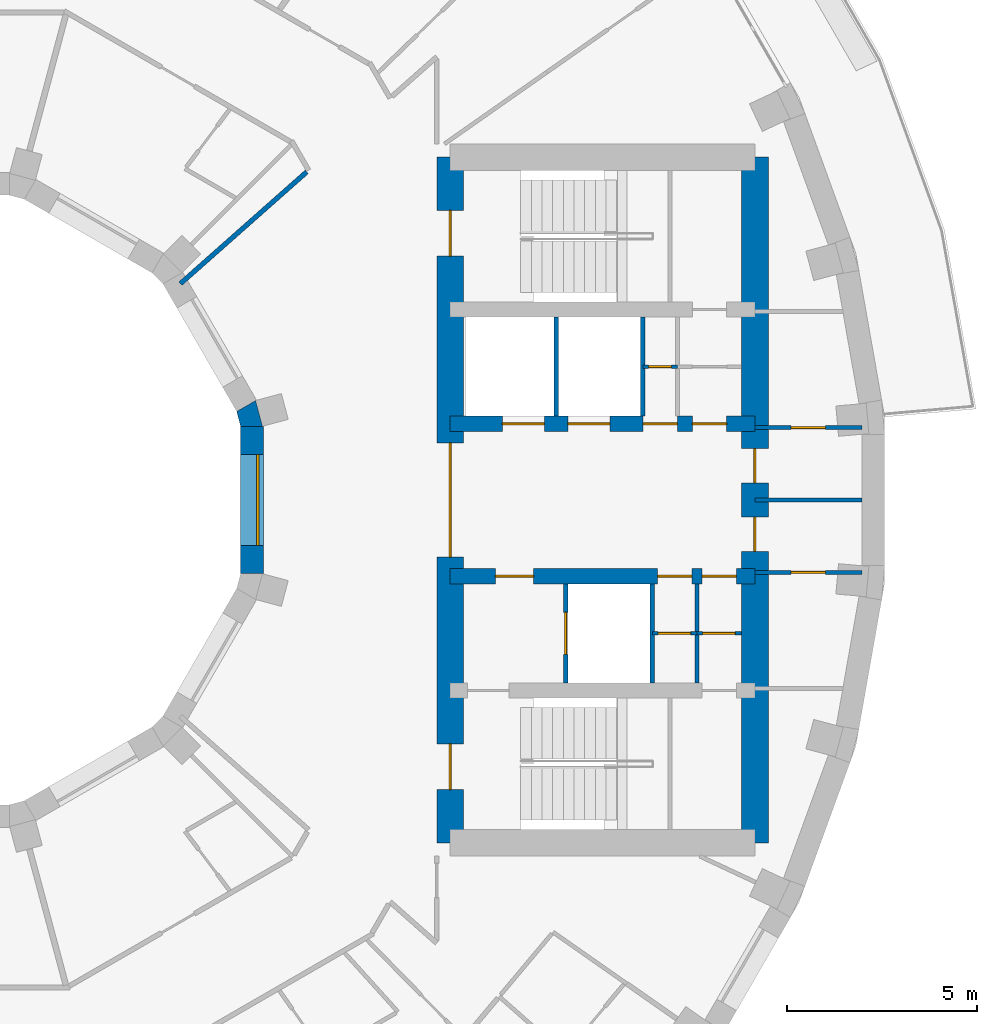
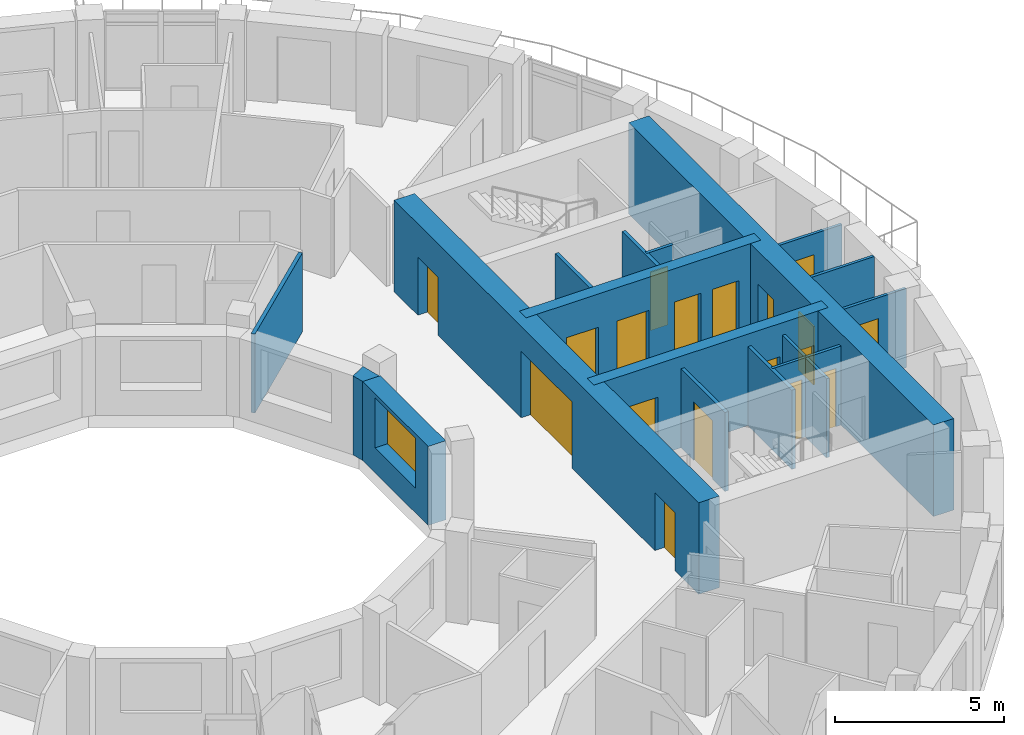
# One storey, part 9 of 15: 18 doors, 18 walls, 1 window, 19 openings.
"""IFC4 building model written with IfcOpenShell, lengths in metres."""

from ifc_helpers import new_model, si_unit, direction, frame, frame_2d, origin, place, context, subcontext, project, spatial, polyline, rectangle, outline, extrude, material, layer, layer_set, type_object, element, fill, save


model = new_model("IFC4")

# Units and contexts
model_context = context("Model", 3, precision=1e-05, world=origin(), true_north=direction((0.0, 1.0)))
body_context = subcontext(model_context, "Body", "Model", "MODEL_VIEW")
ifc_project = project(units=[si_unit("LENGTHUNIT", "METRE"), si_unit("AREAUNIT", "SQUARE_METRE"), si_unit("VOLUMEUNIT", "CUBIC_METRE"), si_unit("PLANEANGLEUNIT", "RADIAN"), si_unit("MASSUNIT", "GRAM", prefix="KILO")], contexts=[model_context])

# Site, building, storey
site_placement = place(None, origin())
site = spatial("IfcSite", under=ifc_project, at=site_placement, CompositionType="ELEMENT")
building_placement = place(site_placement, origin())
building = spatial("IfcBuilding", under=site, at=building_placement, Name="Saqina Gate Tower", CompositionType="ELEMENT")
storey_placement = place(building_placement, frame((0.0, 0.0, 197.10009765625)))
storey = spatial("IfcBuildingStorey", under=building, at=storey_placement, Name="L56", CompositionType="ELEMENT", Elevation=197.10009765625)

# Wall, opening, door
ifc_material_1 = material(Name="Gypsum board on steel studs", Category="steel")
ifc_layer_1 = layer(ifc_material_1, 0.10009765625)
ifc_layer_set_1 = layer_set([ifc_layer_1], Name="CORE PARTITION")
wall_type_1 = type_object("IfcWallType", Name="CORE PARTITION", PredefinedType="PARTITIONING", material=ifc_layer_set_1)
wall_1_placement = place(storey_placement, frame((21.5, 1.89990234375, 0.0), z_axis=(0.0, 0.0, 1.0), x_axis=(1.0, 0.0, 0.0)))
wall_1 = element("IfcWall", 1, at=wall_1_placement, inside=storey, type_object=wall_type_1, Name="L56-CP-E02", PredefinedType="PARTITIONING", context=body_context, shape_type="SweptSolid", body=[
    extrude(rectangle(XDim=2.804931640625, YDim=0.10009765625, at=frame_2d((1.40234375, 0.0))), origin(), (0.0, 0.0, 1.0), 2.849853515625),
])
opening_1_placement = place(wall_1_placement, frame((0.952392578125, 0.0, 0.0)))
opening_1 = element("IfcOpeningElement", 2, at=opening_1_placement, cuts=wall_1, Name="Opening G16-D95", PredefinedType="OPENING", context=body_context, shape_type="SweptSolid", body=[
    extrude(rectangle(XDim=0.89990234375, YDim=2.10009765625, at=frame_2d((0.449951171875, 1.050048828125))), frame((0.0, 0.06201171875, 0.0), z_axis=(0.0, -1.0, 0.0), x_axis=(1.0, 0.0, 0.0)), (0.0, 0.0, 1.0), 0.1240234375),
])
ifc_material_2 = material(Name="Steel-framed fire door leaf, EI 60", Category="steel")
door_type_1 = type_object("IfcDoorType", Name="SERVICE ROOM DOOR 900", OperationType="SINGLE_SWING_LEFT", PredefinedType="DOOR", material=ifc_material_2)
door_1_placement = place(opening_1_placement, origin())
door_1 = element("IfcDoor", 3, at=door_1_placement, inside=storey, type_object=door_type_1, Name="L56-CD-E06", OperationType="SINGLE_SWING_LEFT", OverallHeight=2.10009765625, OverallWidth=0.89990234375, PredefinedType="DOOR", context=body_context, shape_type="SweptSolid", body=[
    extrude(rectangle(XDim=0.89990234375, YDim=2.10009765625, at=frame_2d((0.449951171875, 1.050048828125))), frame((0.0, 0.02490234375, 0.0), z_axis=(0.0, -1.0, 0.0), x_axis=(1.0, 0.0, 0.0)), (0.0, 0.0, 1.0), 0.050048828125),
])
fill(opening_1, door_1)

wall_2_placement = place(storey_placement, frame((21.5, -1.89990234375, 0.0), z_axis=(0.0, 0.0, 1.0), x_axis=(1.0, 0.0, 0.0)))
wall_2 = element("IfcWall", 4, at=wall_2_placement, inside=storey, type_object=wall_type_1, Name="L56-CP-E04", PredefinedType="PARTITIONING", context=body_context, shape_type="SweptSolid", body=[
    extrude(rectangle(XDim=2.804931640625, YDim=0.10009765625, at=frame_2d((1.40234375, 0.0))), origin(), (0.0, 0.0, 1.0), 2.849853515625),
])
opening_2_placement = place(wall_2_placement, frame((0.952392578125, 0.0, 0.0)))
opening_2 = element("IfcOpeningElement", 5, at=opening_2_placement, cuts=wall_2, Name="Opening G16-D97", PredefinedType="OPENING", context=body_context, shape_type="SweptSolid", body=[
    extrude(rectangle(XDim=0.89990234375, YDim=2.10009765625, at=frame_2d((0.449951171875, 1.050048828125))), frame((0.0, 0.06201171875, 0.0), z_axis=(0.0, -1.0, 0.0), x_axis=(1.0, 0.0, 0.0)), (0.0, 0.0, 1.0), 0.1240234375),
])
door_2_placement = place(opening_2_placement, frame((0.89990234375, 0.0, 0.0), z_axis=(0.0, 0.0, 1.0), x_axis=(-1.0, 0.0, 0.0)))
door_2 = element("IfcDoor", 6, at=door_2_placement, inside=storey, type_object=door_type_1, Name="L56-CD-E08", OperationType="SINGLE_SWING_RIGHT", OverallHeight=2.10009765625, OverallWidth=0.89990234375, PredefinedType="DOOR", context=body_context, shape_type="SweptSolid", body=[
    extrude(rectangle(XDim=0.89990234375, YDim=2.10009765625, at=frame_2d((0.449951171875, 1.050048828125))), frame((0.0, 0.02490234375, 0.0), z_axis=(0.0, -1.0, 0.0), x_axis=(1.0, 0.0, 0.0)), (0.0, 0.0, 1.0), 0.050048828125),
])
fill(opening_2, door_2)

# Walls
wall_3_placement = place(storey_placement, frame((21.5, 0.0, 0.0), z_axis=(0.0, 0.0, 1.0), x_axis=(1.0, 0.0, 0.0)))
element("IfcWall", 7, at=wall_3_placement, inside=storey, type_object=wall_type_1, Name="L56-CP-E05", PredefinedType="PARTITIONING", context=body_context, shape_type="SweptSolid", body=[
    extrude(rectangle(XDim=2.804931640625, YDim=0.10009765625, at=frame_2d((1.40234375, 0.0))), origin(), (0.0, 0.0, 1.0), 2.849853515625),
])
wall_4_placement = place(storey_placement, frame((19.97998046875, -4.800048828125, 0.0), z_axis=(0.0, 0.0, 1.0), x_axis=(0.0, 1.0, 0.0)))
element("IfcWall", 8, at=wall_4_placement, inside=storey, type_object=wall_type_1, Name="L56-CP-E11", PredefinedType="PARTITIONING", context=body_context, shape_type="SweptSolid", body=[
    extrude(rectangle(XDim=2.60009765625, YDim=0.10009765625, at=frame_2d((1.300048828125, 0.0))), origin(), (0.0, 0.0, 1.0), 2.849853515625),
])

# Wall, opening, door
wall_5_placement = place(storey_placement, frame((18.56005859375, 3.5, 0.0), z_axis=(0.0, 0.0, 1.0), x_axis=(1.0, 0.0, 0.0)))
wall_5 = element("IfcWall", 9, at=wall_5_placement, inside=storey, type_object=wall_type_1, Name="L56-CP-E12", PredefinedType="PARTITIONING", context=body_context, shape_type="SweptSolid", body=[
    extrude(rectangle(XDim=0.906494140625, YDim=0.10009765625, at=frame_2d((0.453125, 0.0))), origin(), (0.0, 0.0, 1.0), 2.849853515625),
])
opening_3_placement = place(wall_5_placement, frame((0.149658203125, 0.0, 0.0)))
opening_3 = element("IfcOpeningElement", 10, at=opening_3_placement, cuts=wall_5, Name="Opening G16-D99", PredefinedType="OPENING", context=body_context, shape_type="SweptSolid", body=[
    extrude(rectangle(XDim=0.60009765625, YDim=2.10009765625, at=frame_2d((0.300048828125, 1.050048828125))), frame((0.0, 0.06201171875, 0.0), z_axis=(0.0, -1.0, 0.0), x_axis=(1.0, 0.0, 0.0)), (0.0, 0.0, 1.0), 0.1240234375),
])
ifc_material_3 = material(Name="Steel-framed fire door leaf, EI 60", Category="steel")
door_type_2 = type_object("IfcDoorType", Name="SERVICE ROOM DOOR 600", OperationType="SINGLE_SWING_LEFT", PredefinedType="DOOR", material=ifc_material_3)
door_3_placement = place(opening_3_placement, origin())
door_3 = element("IfcDoor", 11, at=door_3_placement, inside=storey, type_object=door_type_2, Name="L56-CD-E10", OperationType="SINGLE_SWING_LEFT", OverallHeight=2.10009765625, OverallWidth=0.60009765625, PredefinedType="DOOR", context=body_context, shape_type="SweptSolid", body=[
    extrude(rectangle(XDim=0.60009765625, YDim=2.10009765625, at=frame_2d((0.300048828125, 1.050048828125))), frame((0.0, 0.02490234375, 0.0), z_axis=(0.0, -1.0, 0.0), x_axis=(1.0, 0.0, 0.0)), (0.0, 0.0, 1.0), 0.050048828125),
])
fill(opening_3, door_3)

wall_6_placement = place(storey_placement, frame((18.81005859375, -3.5, 0.0), z_axis=(0.0, 0.0, 1.0), x_axis=(1.0, 0.0, 0.0)))
wall_6 = element("IfcWall", 12, at=wall_6_placement, inside=storey, type_object=wall_type_1, Name="L56-CP-E14", PredefinedType="PARTITIONING", context=body_context, shape_type="SweptSolid", body=[
    extrude(rectangle(XDim=1.169921875, YDim=0.10009765625, at=frame_2d((0.5849609375, 0.0))), origin(), (0.0, 0.0, 1.0), 2.849853515625),
])
opening_4_placement = place(wall_6_placement, frame((0.14990234375, 0.0, 0.0)))
opening_4 = element("IfcOpeningElement", 13, at=opening_4_placement, cuts=wall_6, Name="Opening G16-D102", PredefinedType="OPENING", context=body_context, shape_type="SweptSolid", body=[
    extrude(rectangle(XDim=0.85009765625, YDim=2.10009765625, at=frame_2d((0.425048828125, 1.050048828125))), frame((0.0, 0.06201171875, 0.0), z_axis=(0.0, -1.0, 0.0), x_axis=(1.0, 0.0, 0.0)), (0.0, 0.0, 1.0), 0.1240234375),
])
ifc_material_4 = material(Name="Steel-framed fire door leaf, EI 60", Category="steel")
door_type_3 = type_object("IfcDoorType", Name="SERVICE ROOM DOOR 850", OperationType="SINGLE_SWING_LEFT", PredefinedType="DOOR", material=ifc_material_4)
door_4_placement = place(opening_4_placement, frame((0.85009765625, 0.0, 0.0), z_axis=(0.0, 0.0, 1.0), x_axis=(-1.0, 0.0, 0.0)))
door_4 = element("IfcDoor", 14, at=door_4_placement, inside=storey, type_object=door_type_3, Name="L56-CD-E13", OperationType="SINGLE_SWING_RIGHT", OverallHeight=2.10009765625, OverallWidth=0.85009765625, PredefinedType="DOOR", context=body_context, shape_type="SweptSolid", body=[
    extrude(rectangle(XDim=0.85009765625, YDim=2.10009765625, at=frame_2d((0.425048828125, 1.050048828125))), frame((0.0, 0.02490234375, 0.0), z_axis=(0.0, -1.0, 0.0), x_axis=(1.0, 0.0, 0.0)), (0.0, 0.0, 1.0), 0.050048828125),
])
fill(opening_4, door_4)

wall_7_placement = place(storey_placement, frame((19.97998046875, -3.5, 0.0), z_axis=(0.0, 0.0, 1.0), x_axis=(1.0, 0.0, 0.0)))
wall_7 = element("IfcWall", 15, at=wall_7_placement, inside=storey, type_object=wall_type_1, Name="L56-CP-E15", PredefinedType="PARTITIONING", context=body_context, shape_type="SweptSolid", body=[
    extrude(rectangle(XDim=1.169921875, YDim=0.10009765625, at=frame_2d((0.5849609375, 0.0))), origin(), (0.0, 0.0, 1.0), 2.849853515625),
])
opening_5_placement = place(wall_7_placement, frame((0.14990234375, 0.0, 0.0)))
opening_5 = element("IfcOpeningElement", 16, at=opening_5_placement, cuts=wall_7, Name="Opening G16-D103", PredefinedType="OPENING", context=body_context, shape_type="SweptSolid", body=[
    extrude(rectangle(XDim=0.85009765625, YDim=2.10009765625, at=frame_2d((0.425048828125, 1.050048828125))), frame((0.0, 0.06201171875, 0.0), z_axis=(0.0, -1.0, 0.0), x_axis=(1.0, 0.0, 0.0)), (0.0, 0.0, 1.0), 0.1240234375),
])
door_5_placement = place(opening_5_placement, frame((0.85009765625, 0.0, 0.0), z_axis=(0.0, 0.0, 1.0), x_axis=(-1.0, 0.0, 0.0)))
door_5 = element("IfcDoor", 17, at=door_5_placement, inside=storey, type_object=door_type_3, Name="L56-CD-E14", OperationType="SINGLE_SWING_LEFT", OverallHeight=2.10009765625, OverallWidth=0.85009765625, PredefinedType="DOOR", context=body_context, shape_type="SweptSolid", body=[
    extrude(rectangle(XDim=0.85009765625, YDim=2.10009765625, at=frame_2d((0.425048828125, 1.050048828125))), frame((0.0, 0.02490234375, 0.0), z_axis=(0.0, -1.0, 0.0), x_axis=(1.0, 0.0, 0.0)), (0.0, 0.0, 1.0), 0.050048828125),
])
fill(opening_5, door_5)

# Wall, opening, window
ifc_material_5 = material(Name="Glazed ceramic tile", Category="ceramic")
ifc_layer_2 = layer(ifc_material_5, 0.60009765625)
ifc_layer_set_2 = layer_set([ifc_layer_2], Name="IW-TILE")
wall_type_2 = type_object("IfcWallType", Name="IW-TILE", PredefinedType="SOLIDWALL", material=ifc_layer_set_2)
wall_8_placement = place(storey_placement, frame((8.300048828125, -1.934814453125, 0.0), z_axis=(0.0, 0.0, 1.0), x_axis=(0.0, 1.0, 0.0)))
wall_8 = element("IfcWall", 18, at=wall_8_placement, inside=storey, type_object=wall_type_2, Name="Well wall L56 facet 12", PredefinedType="SOLIDWALL", context=body_context, shape_type="SweptSolid", body=[
    extrude(rectangle(XDim=3.86962890625, YDim=0.60009765625, at=frame_2d((1.934814453125, 0.0))), origin(), (0.0, 0.0, 1.0), 2.849853515625),
])
opening_6_placement = place(wall_8_placement, frame((0.73486328125, 0.0, 0.89990234375)))
opening_6 = element("IfcOpeningElement", 19, at=opening_6_placement, cuts=wall_8, Name="Opening G16-W34", PredefinedType="OPENING", context=body_context, shape_type="SweptSolid", body=[
    extrude(rectangle(XDim=2.39990234375, YDim=1.800048828125, at=frame_2d((1.199951171875, 0.89990234375))), frame((0.0, 0.31201171875, 0.0), z_axis=(0.0, -1.0, 0.0), x_axis=(1.0, 0.0, 0.0)), (0.0, 0.0, 1.0), 0.6240234375),
])
ifc_material_6 = material(Name="Aluminium glazing", Category="aluminium")
window_type = type_object("IfcWindowType", Name="WN-W", PartitioningType="SINGLE_PANEL", PredefinedType="WINDOW", material=ifc_material_6)
window_placement = place(opening_6_placement, origin())
window = element("IfcWindow", 20, at=window_placement, inside=storey, type_object=window_type, Name="Well window L56 facet 12", OverallHeight=1.800048828125, OverallWidth=2.39990234375, PartitioningType="SINGLE_PANEL", PredefinedType="WINDOW", context=body_context, shape_type="SweptSolid", body=[
    extrude(rectangle(XDim=2.39990234375, YDim=1.800048828125, at=frame_2d((1.199951171875, 0.89990234375))), frame((0.0, -0.119873046875, 0.0), z_axis=(0.0, -1.0, 0.0), x_axis=(1.0, 0.0, 0.0)), (0.0, 0.0, 1.0), 0.06005859375),
])
fill(opening_6, window)

# Walls
ifc_material_7 = material(Name="Gypsum board on steel studs, 125 mm, fire rated", Category="steel")
ifc_layer_3 = layer(ifc_material_7, 0.125)
ifc_layer_set_3 = layer_set([ifc_layer_3], Name="PARTITION EI 30 125")
wall_type_3 = type_object("IfcWallType", Name="PARTITION EI 30 125", PredefinedType="PARTITIONING", material=ifc_layer_set_3)
wall_9_placement = place(storey_placement, frame((6.419921875, 5.679931640625, 0.0), z_axis=(0.0, 0.0, 1.0), x_axis=(0.748961830347, 0.662613142552, 0.0)))
element("IfcWall", 21, at=wall_9_placement, inside=storey, type_object=wall_type_3, Name="PARTITION PW1-41", PredefinedType="PARTITIONING", context=body_context, shape_type="SweptSolid", body=[
    extrude(rectangle(XDim=4.427734375, YDim=0.125, at=frame_2d((2.2138671875, 0.0))), origin(), (0.0, 0.0, 1.0), 2.849853515625),
])
ifc_material_8 = material(Name="Autoclaved aerated concrete block", Category="concrete")
ifc_layer_4 = layer(ifc_material_8, 0.1201171875)
ifc_layer_set_4 = layer_set([ifc_layer_4], Name="SHAFT PARTITION")
wall_type_4 = type_object("IfcWallType", Name="SHAFT PARTITION", PredefinedType="PARTITIONING", material=ifc_layer_set_4)
for number, where, z_axis, x_axis, name in (
    (22, (16.280029296875, 2.199951171875, 0.0), (0.0, 0.0, 1.0), (0.0, 1.0, 0.0), "L56-CP-E06"),
    (23, (18.56005859375, 2.199951171875, 0.0), (0.0, 0.0, 1.0), (0.0, 1.0, 0.0), "L56-CP-E07"),
):
    element("IfcWall", number, at=place(storey_placement, frame(where, z_axis=z_axis, x_axis=x_axis)), inside=storey, type_object=wall_type_4, Name=name, PredefinedType="PARTITIONING", context=body_context, shape_type="SweptSolid", body=[
        extrude(rectangle(XDim=2.60009765625, YDim=0.1201171875, at=frame_2d((1.300048828125, 0.0))), origin(), (0.0, 0.0, 1.0), 2.849853515625),
    ])

# Wall, opening, door
wall_10_placement = place(storey_placement, frame((16.530029296875, -4.800048828125, 0.0), z_axis=(0.0, 0.0, 1.0), x_axis=(0.0, 1.0, 0.0)))
wall_10 = element("IfcWall", 24, at=wall_10_placement, inside=storey, type_object=wall_type_4, Name="L56-CP-E09", PredefinedType="PARTITIONING", context=body_context, shape_type="SweptSolid", body=[
    extrude(rectangle(XDim=2.60009765625, YDim=0.1201171875, at=frame_2d((1.300048828125, 0.0))), origin(), (0.0, 0.0, 1.0), 2.849853515625),
])
opening_7_placement = place(wall_10_placement, frame((0.75, 0.0, 0.0)))
opening_7 = element("IfcOpeningElement", 25, at=opening_7_placement, cuts=wall_10, Name="Opening G16-LD3", PredefinedType="OPENING", context=body_context, shape_type="SweptSolid", body=[
    extrude(rectangle(XDim=1.10009765625, YDim=2.10009765625, at=frame_2d((0.550048828125, 1.050048828125))), frame((0.0, 0.072021484375, 0.0), z_axis=(0.0, -1.0, 0.0), x_axis=(1.0, 0.0, 0.0)), (0.0, 0.0, 1.0), 0.14404296875),
])
ifc_material_9 = material(Name="Stainless steel", Category="steel")
door_type_4 = type_object("IfcDoorType", Name="LANDING DOOR", OperationType="DOUBLE_DOOR_SLIDING", PredefinedType="DOOR", material=ifc_material_9)
door_6_placement = place(opening_7_placement, origin())
door_6 = element("IfcDoor", 26, at=door_6_placement, inside=storey, type_object=door_type_4, Name="LANDING DOOR FF1", OperationType="DOUBLE_DOOR_SLIDING", OverallHeight=2.10009765625, OverallWidth=1.10009765625, PredefinedType="DOOR", context=body_context, shape_type="SweptSolid", body=[
    extrude(rectangle(XDim=1.10009765625, YDim=2.10009765625, at=frame_2d((0.550048828125, 1.050048828125))), frame((0.0, 0.02490234375, 0.0), z_axis=(0.0, -1.0, 0.0), x_axis=(1.0, 0.0, 0.0)), (0.0, 0.0, 1.0), 0.050048828125),
])
fill(opening_7, door_6)

# Wall
wall_11_placement = place(storey_placement, frame((18.81005859375, -4.800048828125, 0.0), z_axis=(0.0, 0.0, 1.0), x_axis=(0.0, 1.0, 0.0)))
element("IfcWall", 27, at=wall_11_placement, inside=storey, type_object=wall_type_4, Name="L56-CP-E10", PredefinedType="PARTITIONING", context=body_context, shape_type="SweptSolid", body=[
    extrude(rectangle(XDim=2.60009765625, YDim=0.1201171875, at=frame_2d((1.300048828125, 0.0))), origin(), (0.0, 0.0, 1.0), 2.849853515625),
])

# Wall, openings, doors
ifc_material_10 = material(Name="Concrete C60/75", Category="concrete")
ifc_layer_5 = layer(ifc_material_10, 0.39990234375)
ifc_layer_set_5 = layer_set([ifc_layer_5], Name="Concrete C60/75")
wall_type_5 = type_object("IfcWallType", Name="STR-CORE WALL-C-I", PredefinedType="SHEAR", material=ifc_layer_set_5)
wall_12_placement = place(storey_placement, frame((13.5, 2.0, 0.0), z_axis=(0.0, 0.0, 1.0), x_axis=(1.0, 0.0, 0.0)))
wall_12 = element("IfcWall", 28, at=wall_12_placement, inside=storey, type_object=wall_type_5, Name="CORE WALL L56 E-L1", PredefinedType="SHEAR", context=body_context, shape_type="SweptSolid", body=[
    extrude(rectangle(XDim=8.0, YDim=0.39990234375, at=frame_2d((4.0, 0.0))), origin(), (0.0, 0.0, 1.0), 3.2998046875),
])
opening_8_placement = place(wall_12_placement, frame((1.3701171875, 0.0, 0.0)))
opening_8 = element("IfcOpeningElement", 29, at=opening_8_placement, cuts=wall_12, Name="Opening G16-LD1", PredefinedType="OPENING", context=body_context, shape_type="SweptSolid", body=[
    extrude(rectangle(XDim=1.10009765625, YDim=2.10009765625, at=frame_2d((0.550048828125, 1.050048828125))), frame((0.0, 0.2119140625, 0.0), z_axis=(0.0, -1.0, 0.0), x_axis=(1.0, 0.0, 0.0)), (0.0, 0.0, 1.0), 0.423828125),
])
opening_9_placement = place(wall_12_placement, frame((3.090087890625, 0.0, 0.0)))
opening_9 = element("IfcOpeningElement", 30, at=opening_9_placement, cuts=wall_12, Name="Opening G16-LD2", PredefinedType="OPENING", context=body_context, shape_type="SweptSolid", body=[
    extrude(rectangle(XDim=1.10009765625, YDim=2.10009765625, at=frame_2d((0.550048828125, 1.050048828125))), frame((0.0, 0.2119140625, 0.0), z_axis=(0.0, -1.0, 0.0), x_axis=(1.0, 0.0, 0.0)), (0.0, 0.0, 1.0), 0.423828125),
])
opening_10_placement = place(wall_12_placement, frame((5.063232421875, 0.0, 0.0)))
opening_10 = element("IfcOpeningElement", 31, at=opening_10_placement, cuts=wall_12, Name="Opening G16-D90", PredefinedType="OPENING", context=body_context, shape_type="SweptSolid", body=[
    extrude(rectangle(XDim=0.89990234375, YDim=2.10009765625, at=frame_2d((0.449951171875, 1.050048828125))), frame((0.0, 0.2119140625, 0.0), z_axis=(0.0, -1.0, 0.0), x_axis=(1.0, 0.0, 0.0)), (0.0, 0.0, 1.0), 0.423828125),
])
opening_11_placement = place(wall_12_placement, frame((6.358154296875, 0.0, 0.0)))
opening_11 = element("IfcOpeningElement", 32, at=opening_11_placement, cuts=wall_12, Name="Opening G16-D91", PredefinedType="OPENING", context=body_context, shape_type="SweptSolid", body=[
    extrude(rectangle(XDim=0.89990234375, YDim=2.10009765625, at=frame_2d((0.449951171875, 1.050048828125))), frame((0.0, 0.2119140625, 0.0), z_axis=(0.0, -1.0, 0.0), x_axis=(1.0, 0.0, 0.0)), (0.0, 0.0, 1.0), 0.423828125),
])
door_7_placement = place(opening_8_placement, origin())
door_7 = element("IfcDoor", 33, at=door_7_placement, inside=storey, type_object=door_type_4, Name="LANDING DOOR HR1", OperationType="DOUBLE_DOOR_SLIDING", OverallHeight=2.10009765625, OverallWidth=1.10009765625, PredefinedType="DOOR", context=body_context, shape_type="SweptSolid", body=[
    extrude(rectangle(XDim=1.10009765625, YDim=2.10009765625, at=frame_2d((0.550048828125, 1.050048828125))), frame((0.0, 0.02490234375, 0.0), z_axis=(0.0, -1.0, 0.0), x_axis=(1.0, 0.0, 0.0)), (0.0, 0.0, 1.0), 0.050048828125),
])
fill(opening_8, door_7)
door_8_placement = place(opening_9_placement, origin())
door_8 = element("IfcDoor", 34, at=door_8_placement, inside=storey, type_object=door_type_4, Name="LANDING DOOR HR2", OperationType="DOUBLE_DOOR_SLIDING", OverallHeight=2.10009765625, OverallWidth=1.10009765625, PredefinedType="DOOR", context=body_context, shape_type="SweptSolid", body=[
    extrude(rectangle(XDim=1.10009765625, YDim=2.10009765625, at=frame_2d((0.550048828125, 1.050048828125))), frame((0.0, 0.02490234375, 0.0), z_axis=(0.0, -1.0, 0.0), x_axis=(1.0, 0.0, 0.0)), (0.0, 0.0, 1.0), 0.050048828125),
])
fill(opening_9, door_8)
door_9_placement = place(opening_10_placement, origin())
door_9 = element("IfcDoor", 35, at=door_9_placement, inside=storey, type_object=door_type_1, Name="L56-CD-E01", OperationType="SINGLE_SWING_LEFT", OverallHeight=2.10009765625, OverallWidth=0.89990234375, PredefinedType="DOOR", context=body_context, shape_type="SweptSolid", body=[
    extrude(rectangle(XDim=0.89990234375, YDim=2.10009765625, at=frame_2d((0.449951171875, 1.050048828125))), frame((0.0, 0.02490234375, 0.0), z_axis=(0.0, -1.0, 0.0), x_axis=(1.0, 0.0, 0.0)), (0.0, 0.0, 1.0), 0.050048828125),
])
fill(opening_10, door_9)
door_10_placement = place(opening_11_placement, origin())
door_10 = element("IfcDoor", 36, at=door_10_placement, inside=storey, type_object=door_type_1, Name="L56-CD-E02", OperationType="SINGLE_SWING_RIGHT", OverallHeight=2.10009765625, OverallWidth=0.89990234375, PredefinedType="DOOR", context=body_context, shape_type="SweptSolid", body=[
    extrude(rectangle(XDim=0.89990234375, YDim=2.10009765625, at=frame_2d((0.449951171875, 1.050048828125))), frame((0.0, 0.02490234375, 0.0), z_axis=(0.0, -1.0, 0.0), x_axis=(1.0, 0.0, 0.0)), (0.0, 0.0, 1.0), 0.050048828125),
])
fill(opening_11, door_10)

wall_13_placement = place(storey_placement, frame((13.5, -2.0, 0.0), z_axis=(0.0, 0.0, 1.0), x_axis=(1.0, 0.0, 0.0)))
wall_13 = element("IfcWall", 37, at=wall_13_placement, inside=storey, type_object=wall_type_5, Name="CORE WALL L56 E-L2", PredefinedType="SHEAR", context=body_context, shape_type="SweptSolid", body=[
    extrude(rectangle(XDim=8.0, YDim=0.39990234375, at=frame_2d((4.0, 0.0))), origin(), (0.0, 0.0, 1.0), 3.2998046875),
])
opening_12_placement = place(wall_13_placement, frame((1.18994140625, 0.0, 0.0)))
opening_12 = element("IfcOpeningElement", 38, at=opening_12_placement, cuts=wall_13, Name="Opening G16-D92", PredefinedType="OPENING", context=body_context, shape_type="SweptSolid", body=[
    extrude(rectangle(XDim=1.0, YDim=2.10009765625, at=frame_2d((0.5, 1.050048828125))), frame((0.0, 0.2119140625, 0.0), z_axis=(0.0, -1.0, 0.0), x_axis=(1.0, 0.0, 0.0)), (0.0, 0.0, 1.0), 0.423828125),
])
opening_13_placement = place(wall_13_placement, frame((5.445068359375, 0.0, 0.0)))
opening_13 = element("IfcOpeningElement", 39, at=opening_13_placement, cuts=wall_13, Name="Opening G16-D93", PredefinedType="OPENING", context=body_context, shape_type="SweptSolid", body=[
    extrude(rectangle(XDim=0.89990234375, YDim=2.10009765625, at=frame_2d((0.449951171875, 1.050048828125))), frame((0.0, 0.2119140625, 0.0), z_axis=(0.0, -1.0, 0.0), x_axis=(1.0, 0.0, 0.0)), (0.0, 0.0, 1.0), 0.423828125),
])
opening_14_placement = place(wall_13_placement, frame((6.614990234375, 0.0, 0.0)))
opening_14 = element("IfcOpeningElement", 40, at=opening_14_placement, cuts=wall_13, Name="Opening G16-D94", PredefinedType="OPENING", context=body_context, shape_type="SweptSolid", body=[
    extrude(rectangle(XDim=0.89990234375, YDim=2.10009765625, at=frame_2d((0.449951171875, 1.050048828125))), frame((0.0, 0.2119140625, 0.0), z_axis=(0.0, -1.0, 0.0), x_axis=(1.0, 0.0, 0.0)), (0.0, 0.0, 1.0), 0.423828125),
])
ifc_material_11 = material(Name="Steel", Category="steel")
door_type_5 = type_object("IfcDoorType", Name="FIRE LOBBY DOOR EI 60", OperationType="SINGLE_SWING_LEFT", PredefinedType="DOOR", material=ifc_material_11)
door_11_placement = place(opening_12_placement, origin())
door_11 = element("IfcDoor", 41, at=door_11_placement, inside=storey, type_object=door_type_5, Name="L56-CD-E03", OperationType="SINGLE_SWING_LEFT", OverallHeight=2.10009765625, OverallWidth=1.0, PredefinedType="DOOR", context=body_context, shape_type="SweptSolid", body=[
    extrude(rectangle(XDim=1.0, YDim=2.10009765625, at=frame_2d((0.5, 1.050048828125))), frame((0.0, 0.02490234375, 0.0), z_axis=(0.0, -1.0, 0.0), x_axis=(1.0, 0.0, 0.0)), (0.0, 0.0, 1.0), 0.050048828125),
])
fill(opening_12, door_11)
door_12_placement = place(opening_13_placement, frame((0.89990234375, 0.0, 0.0), z_axis=(0.0, 0.0, 1.0), x_axis=(-1.0, 0.0, 0.0)))
door_12 = element("IfcDoor", 42, at=door_12_placement, inside=storey, type_object=door_type_1, Name="L56-CD-E04", OperationType="SINGLE_SWING_RIGHT", OverallHeight=2.10009765625, OverallWidth=0.89990234375, PredefinedType="DOOR", context=body_context, shape_type="SweptSolid", body=[
    extrude(rectangle(XDim=0.89990234375, YDim=2.10009765625, at=frame_2d((0.449951171875, 1.050048828125))), frame((0.0, 0.02490234375, 0.0), z_axis=(0.0, -1.0, 0.0), x_axis=(1.0, 0.0, 0.0)), (0.0, 0.0, 1.0), 0.050048828125),
])
fill(opening_13, door_12)
door_13_placement = place(opening_14_placement, frame((0.89990234375, 0.0, 0.0), z_axis=(0.0, 0.0, 1.0), x_axis=(-1.0, 0.0, 0.0)))
door_13 = element("IfcDoor", 43, at=door_13_placement, inside=storey, type_object=door_type_1, Name="L56-CD-E05", OperationType="SINGLE_SWING_LEFT", OverallHeight=2.10009765625, OverallWidth=0.89990234375, PredefinedType="DOOR", context=body_context, shape_type="SweptSolid", body=[
    extrude(rectangle(XDim=0.89990234375, YDim=2.10009765625, at=frame_2d((0.449951171875, 1.050048828125))), frame((0.0, 0.02490234375, 0.0), z_axis=(0.0, -1.0, 0.0), x_axis=(1.0, 0.0, 0.0)), (0.0, 0.0, 1.0), 0.050048828125),
])
fill(opening_14, door_13)

ifc_material_12 = material(Name="Concrete C60/75", Category="concrete")
ifc_layer_6 = layer(ifc_material_12, 0.699951171875)
ifc_layer_set_6 = layer_set([ifc_layer_6], Name="Concrete C60/75")
wall_type_6 = type_object("IfcWallType", Name="STR-CORE WALL-C-O", PredefinedType="SHEAR", material=ifc_layer_set_6)
wall_14_placement = place(storey_placement, frame((13.5, -9.0, 0.0), z_axis=(0.0, 0.0, 1.0), x_axis=(0.0, 1.0, 0.0)))
wall_14 = element("IfcWall", 44, at=wall_14_placement, inside=storey, type_object=wall_type_6, Name="CORE WALL L56 E-W1", PredefinedType="SHEAR", context=body_context, shape_type="SweptSolid", body=[
    extrude(rectangle(XDim=18.0, YDim=0.699951171875, at=frame_2d((9.0, 0.0))), origin(), (0.0, 0.0, 1.0), 3.2998046875),
])
opening_15_placement = place(wall_14_placement, frame((15.39990234375, 0.0, 0.0)))
opening_15 = element("IfcOpeningElement", 45, at=opening_15_placement, cuts=wall_14, Name="Opening G16-D106", PredefinedType="OPENING", context=body_context, shape_type="SweptSolid", body=[
    extrude(rectangle(XDim=1.199951171875, YDim=2.10009765625, at=frame_2d((0.60009765625, 1.050048828125))), frame((0.0, 0.362060546875, 0.0), z_axis=(0.0, -1.0, 0.0), x_axis=(1.0, 0.0, 0.0)), (0.0, 0.0, 1.0), 0.723876953125),
])
opening_16_placement = place(wall_14_placement, frame((1.39990234375, 0.0, 0.0)))
opening_16 = element("IfcOpeningElement", 46, at=opening_16_placement, cuts=wall_14, Name="Opening G16-D107", PredefinedType="OPENING", context=body_context, shape_type="SweptSolid", body=[
    extrude(rectangle(XDim=1.199951171875, YDim=2.10009765625, at=frame_2d((0.60009765625, 1.050048828125))), frame((0.0, 0.362060546875, 0.0), z_axis=(0.0, -1.0, 0.0), x_axis=(1.0, 0.0, 0.0)), (0.0, 0.0, 1.0), 0.723876953125),
])
opening_17_placement = place(wall_14_placement, frame((7.5, 0.0, 0.0)))
opening_17 = element("IfcOpeningElement", 47, at=opening_17_placement, cuts=wall_14, Name="Opening G16-D108", PredefinedType="OPENING", context=body_context, shape_type="SweptSolid", body=[
    extrude(rectangle(XDim=3.0, YDim=2.39990234375, at=frame_2d((1.5, 1.199951171875))), frame((0.0, 0.362060546875, 0.0), z_axis=(0.0, -1.0, 0.0), x_axis=(1.0, 0.0, 0.0)), (0.0, 0.0, 1.0), 0.723876953125),
])
ifc_material_13 = material(Name="Steel", Category="steel")
door_type_6 = type_object("IfcDoorType", Name="FIRE DOOR EI 60", OperationType="SINGLE_SWING_LEFT", PredefinedType="DOOR", material=ifc_material_13)
door_14_placement = place(opening_15_placement, frame((1.199951171875, 0.0, 0.0), z_axis=(0.0, 0.0, 1.0), x_axis=(-1.0, 0.0, 0.0)))
door_14 = element("IfcDoor", 48, at=door_14_placement, inside=storey, type_object=door_type_6, Name="L56-CD-E17", OperationType="SINGLE_SWING_LEFT", OverallHeight=2.10009765625, OverallWidth=1.199951171875, PredefinedType="DOOR", context=body_context, shape_type="SweptSolid", body=[
    extrude(rectangle(XDim=1.199951171875, YDim=2.10009765625, at=frame_2d((0.60009765625, 1.050048828125))), frame((0.0, 0.02490234375, 0.0), z_axis=(0.0, -1.0, 0.0), x_axis=(1.0, 0.0, 0.0)), (0.0, 0.0, 1.0), 0.050048828125),
])
fill(opening_15, door_14)
door_15_placement = place(opening_16_placement, frame((1.199951171875, 0.0, 0.0), z_axis=(0.0, 0.0, 1.0), x_axis=(-1.0, 0.0, 0.0)))
door_15 = element("IfcDoor", 49, at=door_15_placement, inside=storey, type_object=door_type_6, Name="L56-CD-E18", OperationType="SINGLE_SWING_RIGHT", OverallHeight=2.10009765625, OverallWidth=1.199951171875, PredefinedType="DOOR", context=body_context, shape_type="SweptSolid", body=[
    extrude(rectangle(XDim=1.199951171875, YDim=2.10009765625, at=frame_2d((0.60009765625, 1.050048828125))), frame((0.0, 0.02490234375, 0.0), z_axis=(0.0, -1.0, 0.0), x_axis=(1.0, 0.0, 0.0)), (0.0, 0.0, 1.0), 0.050048828125),
])
fill(opening_16, door_15)
ifc_material_14 = material(Name="Steel and fire-resisting glass", Category="steel")
door_type_7 = type_object("IfcDoorType", Name="LOBBY SCREEN DOOR", OperationType="DOUBLE_DOOR_SLIDING", PredefinedType="DOOR", material=ifc_material_14)
door_16_placement = place(opening_17_placement, origin())
door_16 = element("IfcDoor", 50, at=door_16_placement, inside=storey, type_object=door_type_7, Name="L56-CD-E19", OperationType="DOUBLE_DOOR_SLIDING", OverallHeight=2.39990234375, OverallWidth=3.0, PredefinedType="DOOR", context=body_context, shape_type="SweptSolid", body=[
    extrude(rectangle(XDim=3.0, YDim=2.39990234375, at=frame_2d((1.5, 1.199951171875))), frame((0.0, 0.02490234375, 0.0), z_axis=(0.0, -1.0, 0.0), x_axis=(1.0, 0.0, 0.0)), (0.0, 0.0, 1.0), 0.050048828125),
])
fill(opening_17, door_16)

wall_15_placement = place(storey_placement, frame((21.5, -9.0, 0.0), z_axis=(0.0, 0.0, 1.0), x_axis=(0.0, 1.0, 0.0)))
wall_15 = element("IfcWall", 51, at=wall_15_placement, inside=storey, type_object=wall_type_6, Name="CORE WALL L56 E-W2", PredefinedType="SHEAR", context=body_context, shape_type="SweptSolid", body=[
    extrude(rectangle(XDim=18.0, YDim=0.699951171875, at=frame_2d((9.0, 0.0))), origin(), (0.0, 0.0, 1.0), 3.2998046875),
])
opening_18_placement = place(wall_15_placement, frame((9.449951171875, 0.0, 0.0)))
opening_18 = element("IfcOpeningElement", 52, at=opening_18_placement, cuts=wall_15, Name="Opening G16-D96", PredefinedType="OPENING", context=body_context, shape_type="SweptSolid", body=[
    extrude(rectangle(XDim=0.89990234375, YDim=2.10009765625, at=frame_2d((0.449951171875, 1.050048828125))), frame((0.0, 0.362060546875, 0.0), z_axis=(0.0, -1.0, 0.0), x_axis=(1.0, 0.0, 0.0)), (0.0, 0.0, 1.0), 0.723876953125),
])
opening_19_placement = place(wall_15_placement, frame((7.64990234375, 0.0, 0.0)))
opening_19 = element("IfcOpeningElement", 53, at=opening_19_placement, cuts=wall_15, Name="Opening G16-D98", PredefinedType="OPENING", context=body_context, shape_type="SweptSolid", body=[
    extrude(rectangle(XDim=0.89990234375, YDim=2.10009765625, at=frame_2d((0.449951171875, 1.050048828125))), frame((0.0, 0.362060546875, 0.0), z_axis=(0.0, -1.0, 0.0), x_axis=(1.0, 0.0, 0.0)), (0.0, 0.0, 1.0), 0.723876953125),
])
door_17_placement = place(opening_18_placement, frame((0.89990234375, 0.0, 0.0), z_axis=(0.0, 0.0, 1.0), x_axis=(-1.0, 0.0, 0.0)))
door_17 = element("IfcDoor", 54, at=door_17_placement, inside=storey, type_object=door_type_1, Name="L56-CD-E07", OperationType="SINGLE_SWING_LEFT", OverallHeight=2.10009765625, OverallWidth=0.89990234375, PredefinedType="DOOR", context=body_context, shape_type="SweptSolid", body=[
    extrude(rectangle(XDim=0.89990234375, YDim=2.10009765625, at=frame_2d((0.449951171875, 1.050048828125))), frame((0.0, 0.02490234375, 0.0), z_axis=(0.0, -1.0, 0.0), x_axis=(1.0, 0.0, 0.0)), (0.0, 0.0, 1.0), 0.050048828125),
])
fill(opening_18, door_17)
door_18_placement = place(opening_19_placement, frame((0.89990234375, 0.0, 0.0), z_axis=(0.0, 0.0, 1.0), x_axis=(-1.0, 0.0, 0.0)))
door_18 = element("IfcDoor", 55, at=door_18_placement, inside=storey, type_object=door_type_1, Name="L56-CD-E09", OperationType="SINGLE_SWING_RIGHT", OverallHeight=2.10009765625, OverallWidth=0.89990234375, PredefinedType="DOOR", context=body_context, shape_type="SweptSolid", body=[
    extrude(rectangle(XDim=0.89990234375, YDim=2.10009765625, at=frame_2d((0.449951171875, 1.050048828125))), frame((0.0, 0.02490234375, 0.0), z_axis=(0.0, -1.0, 0.0), x_axis=(1.0, 0.0, 0.0)), (0.0, 0.0, 1.0), 0.050048828125),
])
fill(opening_19, door_18)

# Wall
ifc_material_15 = material(Name="Glazed ceramic tile", Category="ceramic")
wall_type_7 = type_object("IfcWallType", Name="TILE PIER COPING", PredefinedType="SOLIDWALL", material=ifc_material_15)
wall_16_placement = place(storey_placement, origin())
element("IfcWall", 56, at=wall_16_placement, inside=storey, type_object=wall_type_7, Name="Well pier cap L56 column 1", PredefinedType="SOLIDWALL", context=body_context, shape_type="SweptSolid", body=[
    extrude(outline(polyline([(8.392333984375, 2.611083984375), (7.895751953125, 2.32421875), (8.0, 1.934814453125), (8.573486328125, 1.934814453125), (8.392333984375, 2.611083984375)])), origin(), (0.0, 0.0, 1.0), 2.849853515625),
])

save(model, "model.ifc")
